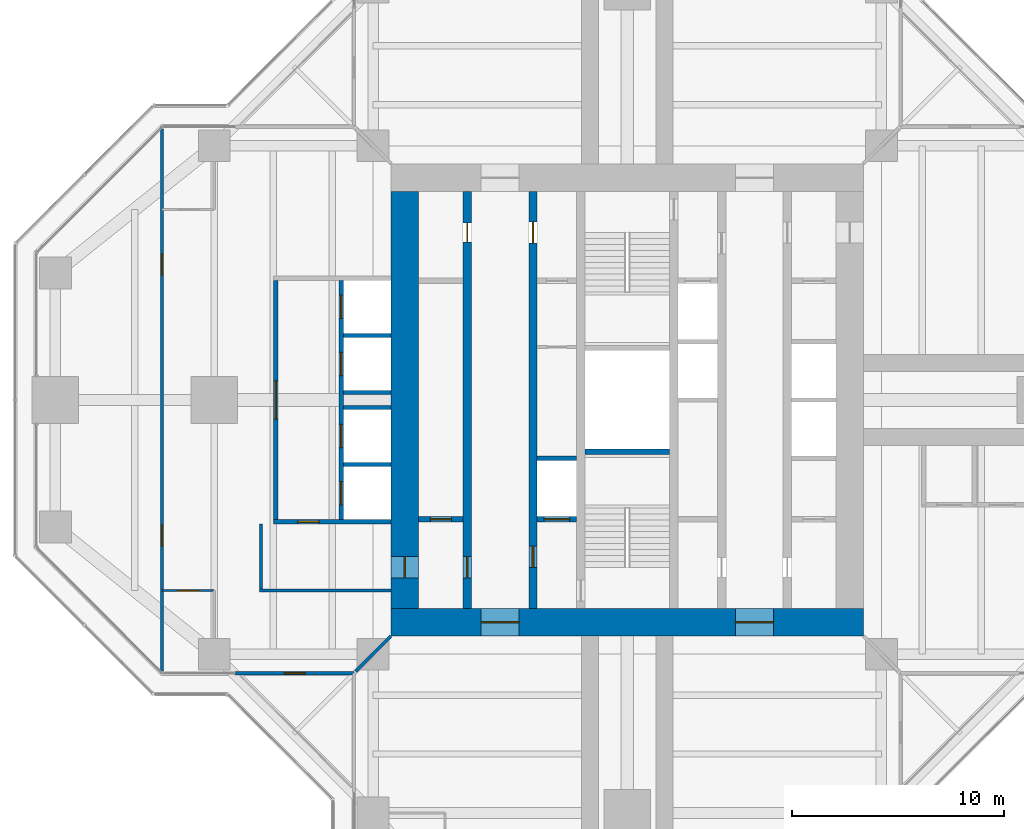
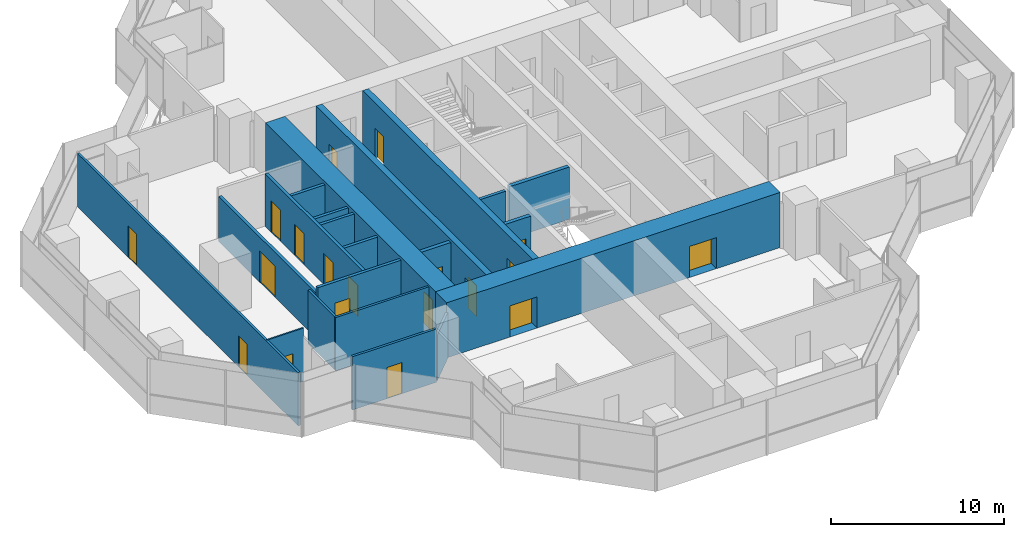
# One storey, part 13 of 17: 21 walls, 19 doors, 19 openings.
"""IFC4 building model written with IfcOpenShell, lengths in metres."""

import ifcopenshell
import ifcopenshell.guid

model = None  # the IFC model being written
_history = None  # IfcOwnerHistory: only IFC2X3 demands one
_inside = {}  # id of a spatial element -> (the spatial element, [elements in it])
_under = {}  # id of a project, library or spatial element -> (it, [spatial elements below it])
_declared = {}  # id of a project -> (the project, [libraries it declares])
_typed = {}  # id of a type object -> (the type object, [elements of that type])
_made_of = {}  # id of a material, layer set ... -> (it, [elements and type objects made of it])


def new_model(schema):
    """Start an empty IFC model of exactly this schema.

    Asked for "IFC4X3", IfcOpenShell would pick the latest addendum, in which some entities
    have other attributes; the version numbers below select the first issue.
    IFC2X3 requires an IfcOwnerHistory on every rooted entity: one is made here for all.
    """
    global model, _history
    if schema == "IFC4X3":
        model = ifcopenshell.file(schema_version=(4, 3, 0, 0))
    else:
        model = ifcopenshell.file(schema=schema)
    _inside.clear()
    _under.clear()
    _declared.clear()
    _typed.clear()
    _made_of.clear()
    _history = None
    if model.schema == "IFC2X3":
        org = make("IfcOrganization", Name="unknown")
        user = make(
            "IfcPersonAndOrganization",
            ThePerson=make("IfcPerson", FamilyName="unknown"),
            TheOrganization=org,
        )
        app = make(
            "IfcApplication",
            ApplicationDeveloper=org,
            Version="unknown",
            ApplicationFullName="unknown",
            ApplicationIdentifier="unknown",
        )
        _history = make(
            "IfcOwnerHistory",
            OwningUser=user,
            OwningApplication=app,
            ChangeAction="ADDED",
            CreationDate=0,
        )
    return model


def make(cls, **values):
    """One entity of the class cls with the attributes given. An attribute that is None is left unset."""
    return model.create_entity(
        cls, **{name: value for name, value in values.items() if value is not None}
    )


def rooted(cls, **values):
    """An entity with a GlobalId (a new one), such as an element, a storey or a relation."""
    return make(cls, GlobalId=ifcopenshell.guid.new(), OwnerHistory=_history, **values)


def si_unit(unit_type, name, prefix=None):
    """IfcSIUnit, for example si_unit("LENGTHUNIT", "METRE", prefix="MILLI")."""
    return make("IfcSIUnit", UnitType=unit_type, Prefix=prefix, Name=name)


def assignment(units):
    """IfcUnitAssignment: the units of a project."""
    return None if units is None else make("IfcUnitAssignment", Units=units)


def point(xyz):
    """IfcCartesianPoint."""
    return None if xyz is None else make("IfcCartesianPoint", Coordinates=xyz)


def direction(xyz):
    """IfcDirection."""
    return None if xyz is None else make("IfcDirection", DirectionRatios=xyz)


def frame(location, z_axis=None, x_axis=None):
    """IfcAxis2Placement3D, a coordinate frame: its origin and axes. An axis left out is left unset."""
    return make(
        "IfcAxis2Placement3D",
        Location=point(location),
        Axis=direction(z_axis),
        RefDirection=direction(x_axis),
    )


def frame_2d(location, x_axis=None):
    """IfcAxis2Placement2D, a coordinate frame in the plane: its origin and x axis."""
    return make(
        "IfcAxis2Placement2D", Location=point(location), RefDirection=direction(x_axis)
    )


def origin():
    """The frame at (0, 0, 0) with its axes left unset."""
    return frame((0.0, 0.0, 0.0))


def place(relative_to, where):
    """IfcLocalPlacement: puts the frame where relative to a parent placement (None: the world)."""
    return make(
        "IfcLocalPlacement", PlacementRelTo=relative_to, RelativePlacement=where
    )


def context(
    kind, dimensions, precision=None, world=None, true_north=None, identifier=None
):
    """IfcGeometricRepresentationContext, for example the 3D "Model" context."""
    return make(
        "IfcGeometricRepresentationContext",
        ContextIdentifier=identifier,
        ContextType=kind,
        CoordinateSpaceDimension=dimensions,
        Precision=precision,
        WorldCoordinateSystem=world,
        TrueNorth=true_north,
    )


def subcontext(parent, identifier, kind, view, scale=None):
    """IfcGeometricRepresentationSubContext, for example "Body" below "Model"."""
    return make(
        "IfcGeometricRepresentationSubContext",
        ContextIdentifier=identifier,
        ContextType=kind,
        ParentContext=parent,
        TargetScale=scale,
        TargetView=view,
    )


def project(units=None, contexts=None):
    """IfcProject with its units and contexts."""
    return rooted(
        "IfcProject",
        Name="project",
        RepresentationContexts=contexts,
        UnitsInContext=assignment(units),
    )


def spatial(cls, under=None, at=None, **own):
    """A site, building, storey or space (cls), placed at a placement, below another one or the project."""
    s = rooted(cls, ObjectPlacement=at, **own)
    if under is not None:
        _under.setdefault(under.id(), (under, []))[1].append(s)
    return s


def profile(cls, at=None, kind="AREA", **sizes):
    """A parametric profile (cls). Its sizes go by their IFC names, for example OverallWidth=200.0."""
    return make(cls, ProfileType=kind, Position=at, **sizes)


def rectangle(**sizes):
    """IfcRectangleProfileDef."""
    return profile("IfcRectangleProfileDef", **sizes)


def extrude(swept, where, along, depth):
    """IfcExtrudedAreaSolid: the profile swept, set in the frame where, extruded along a direction by depth."""
    return make(
        "IfcExtrudedAreaSolid",
        SweptArea=swept,
        Position=where,
        ExtrudedDirection=direction(along),
        Depth=depth,
    )


def shape(context_of_items, identifier, shape_type, items):
    """IfcShapeRepresentation: the items that make up one representation, for example the "Body"."""
    return make(
        "IfcShapeRepresentation",
        ContextOfItems=context_of_items,
        RepresentationIdentifier=identifier,
        RepresentationType=shape_type,
        Items=items,
    )


def material(Name=None, Category=None):
    """IfcMaterial."""
    return make("IfcMaterial", Name=Name, Category=Category)


def layer(
    of_material, thickness, ventilated=None, Name=None, Category=None, Priority=None
):
    """IfcMaterialLayer: one layer of a wall or slab, of a material (None: an air gap)."""
    return make(
        "IfcMaterialLayer",
        Material=of_material,
        LayerThickness=thickness,
        IsVentilated=ventilated,
        Name=Name,
        Category=Category,
        Priority=Priority,
    )


def layer_set(layers, Name=None):
    """IfcMaterialLayerSet."""
    return make("IfcMaterialLayerSet", MaterialLayers=layers, LayerSetName=Name)


def made_of(thing, what):
    """Note that an element or type object is made of a material, layer set ...; save() writes the relation."""
    if what is not None:
        _made_of.setdefault(what.id(), (what, []))[1].append(thing)
    return thing


def type_object(cls, material=None, **own):
    """A type object (cls), such as IfcWallType, which elements share."""
    return made_of(rooted(cls, **own), material)


def element(
    cls,
    number,
    at=None,
    inside=None,
    cuts=None,
    type_object=None,
    material=None,
    context=None,
    identifier="Body",
    shape_type=None,
    held_by="IfcProductDefinitionShape",
    body=None,
    shapes=None,
    **own,
):
    """One element of the class cls, such as IfcWall. Its Tag is "e" and its number.

    at: its placement. inside: the storey or other place that contains it. cuts: it is an
    opening in that element (IfcRelVoidsElement). A single representation is given by context,
    identifier, shape_type and body (its items); several are given by shapes. held_by: the class
    of the entity that holds the representations. save() writes the other relations.
    """
    e = rooted(cls, Tag="e%d" % number, ObjectPlacement=at, **own)
    if body is not None:
        shapes = [shape(context, identifier, shape_type, body)]
    if shapes is not None:
        e.Representation = make(held_by, Representations=shapes)
    if inside is not None:
        _inside.setdefault(inside.id(), (inside, []))[1].append(e)
    if cuts is not None:
        rooted(
            "IfcRelVoidsElement", RelatingBuildingElement=cuts, RelatedOpeningElement=e
        )
    if type_object is not None:
        _typed.setdefault(type_object.id(), (type_object, []))[1].append(e)
    return made_of(e, material)


def fill(opening, filler):
    """IfcRelFillsElement: the door or window that sits in an opening."""
    return rooted(
        "IfcRelFillsElement",
        RelatingOpeningElement=opening,
        RelatedBuildingElement=filler,
    )


def aggregate(whole, parts):
    """IfcRelAggregates: a whole, such as a stair, and the parts it consists of."""
    return rooted("IfcRelAggregates", RelatingObject=whole, RelatedObjects=parts)


def save(model, path):
    """Write the relations noted so far, then the file.

    IfcRelAggregates (storeys below a building ...), IfcRelContainedInSpatialStructure (elements
    in a storey), IfcRelDefinesByType, IfcRelAssociatesMaterial and IfcRelDeclares: one each for
    every whole, place, type object, material and project.
    """
    for whole, parts in _under.values():
        aggregate(whole, parts)
    for where, things in _inside.values():
        rooted(
            "IfcRelContainedInSpatialStructure",
            RelatedElements=things,
            RelatingStructure=where,
        )
    for kind, things in _typed.values():
        rooted("IfcRelDefinesByType", RelatedObjects=things, RelatingType=kind)
    for what, things in _made_of.values():
        rooted("IfcRelAssociatesMaterial", RelatedObjects=things, RelatingMaterial=what)
    for by, libraries in _declared.values():
        rooted("IfcRelDeclares", RelatingContext=by, RelatedDefinitions=libraries)
    model.write(path)


model = new_model("IFC4")

# Units and contexts
model_context = context("Model", 3, precision=1e-05, world=origin(), true_north=direction((0.0, 1.0)))
body_context = subcontext(model_context, "Body", "Model", "MODEL_VIEW")
ifc_project = project(units=[si_unit("LENGTHUNIT", "METRE"), si_unit("AREAUNIT", "SQUARE_METRE"), si_unit("VOLUMEUNIT", "CUBIC_METRE"), si_unit("PLANEANGLEUNIT", "RADIAN"), si_unit("MASSUNIT", "GRAM", prefix="KILO")], contexts=[model_context])

# Site, building, storey
site_placement = place(None, origin())
site = spatial("IfcSite", under=ifc_project, at=site_placement, CompositionType="ELEMENT")
building_placement = place(site_placement, origin())
building = spatial("IfcBuilding", under=site, at=building_placement, Name="Mizan Broadcast Tower", CompositionType="ELEMENT")
storey_placement = place(building_placement, frame((0.0, 0.0, 247.800048828125)))
storey = spatial("IfcBuildingStorey", under=building, at=storey_placement, Name="L58", CompositionType="ELEMENT", Elevation=247.800048828125)

# Wall, openings, doors
ifc_material_1 = material(Name="Concrete C70/85", Category="concrete")
ifc_layer_1 = layer(ifc_material_1, 0.39990234375)
ifc_layer_set_1 = layer_set([ifc_layer_1], Name="Concrete C70/85")
wall_type_1 = type_object("IfcWallType", Name="CORE INTERNAL WALL 400", PredefinedType="SHEAR", material=ifc_layer_set_1)
wall_1_placement = place(storey_placement, frame((-7.550048828125, -9.85009765625, 0.0), z_axis=(0.0, 0.0, 1.0), x_axis=(0.0, 1.0, 0.0)))
wall_1 = element("IfcWall", 1, at=wall_1_placement, inside=storey, type_object=wall_type_1, Name="Core wall CORE/XW1", PredefinedType="SHEAR", context=body_context, shape_type="SweptSolid", body=[
    extrude(rectangle(XDim=19.7001953125, YDim=0.39990234375, at=frame_2d((9.85009765625, 0.0))), origin(), (0.0, 0.0, 1.0), 3.89990234375),
])
opening_1_placement = place(wall_1_placement, frame((1.449951171875, 0.0, 0.0)))
opening_1 = element("IfcOpeningElement", 2, at=opening_1_placement, cuts=wall_1, Name="Opening D10F", PredefinedType="OPENING", context=body_context, shape_type="SweptSolid", body=[
    extrude(rectangle(XDim=1.0, YDim=2.199951171875, at=frame_2d((0.5, 1.10009765625))), frame((0.0, 0.2099609375, 0.0), z_axis=(0.0, -1.0, 0.0), x_axis=(1.0, 0.0, 0.0)), (0.0, 0.0, 1.0), 0.419921875),
])
opening_2_placement = place(wall_1_placement, frame((17.300048828125, 0.0, 0.0)))
opening_2 = element("IfcOpeningElement", 3, at=opening_2_placement, cuts=wall_1, Name="Opening D09", PredefinedType="OPENING", context=body_context, shape_type="SweptSolid", body=[
    extrude(rectangle(XDim=0.89990234375, YDim=2.10009765625, at=frame_2d((0.449951171875, 1.050048828125))), frame((0.0, 0.2099609375, 0.0), z_axis=(0.0, -1.0, 0.0), x_axis=(1.0, 0.0, 0.0)), (0.0, 0.0, 1.0), 0.419921875),
])
ifc_material_2 = material(Name="Steel door leaf in steel frame", Category="steel")
door_type_1 = type_object("IfcDoorType", Name="FIRE DOOR 1000 FD90", OperationType="SINGLE_SWING_LEFT", PredefinedType="DOOR", material=ifc_material_2)
door_1_placement = place(opening_1_placement, origin())
door_1 = element("IfcDoor", 4, at=door_1_placement, inside=storey, type_object=door_type_1, Name="West core passage door", OperationType="SINGLE_SWING_LEFT", OverallHeight=2.199951171875, OverallWidth=1.0, PredefinedType="DOOR", context=body_context, shape_type="SweptSolid", body=[
    extrude(rectangle(XDim=1.0, YDim=2.199951171875, at=frame_2d((0.5, 1.10009765625))), frame((0.0, 0.02490234375, 0.0), z_axis=(0.0, -1.0, 0.0), x_axis=(1.0, 0.0, 0.0)), (0.0, 0.0, 1.0), 0.050048828125),
])
fill(opening_1, door_1)
ifc_material_3 = material(Name="Timber door leaf in aluminium frame", Category="wood")
door_type_2 = type_object("IfcDoorType", Name="TOILET DOOR 900", OperationType="SINGLE_SWING_LEFT", PredefinedType="DOOR", material=ifc_material_3)
door_2_placement = place(opening_2_placement, origin())
door_2 = element("IfcDoor", 5, at=door_2_placement, inside=storey, type_object=door_type_2, Name="Male WC door", OperationType="SINGLE_SWING_RIGHT", OverallHeight=2.10009765625, OverallWidth=0.89990234375, PredefinedType="DOOR", context=body_context, shape_type="SweptSolid", body=[
    extrude(rectangle(XDim=0.89990234375, YDim=2.10009765625, at=frame_2d((0.449951171875, 1.050048828125))), frame((0.0, 0.02490234375, 0.0), z_axis=(0.0, -1.0, 0.0), x_axis=(1.0, 0.0, 0.0)), (0.0, 0.0, 1.0), 0.050048828125),
])
fill(opening_2, door_2)

wall_2_placement = place(storey_placement, frame((-4.449951171875, -9.85009765625, 0.0), z_axis=(0.0, 0.0, 1.0), x_axis=(0.0, 1.0, 0.0)))
wall_2 = element("IfcWall", 6, at=wall_2_placement, inside=storey, type_object=wall_type_1, Name="Core wall CORE/XWH", PredefinedType="SHEAR", context=body_context, shape_type="SweptSolid", body=[
    extrude(rectangle(XDim=19.7001953125, YDim=0.39990234375, at=frame_2d((9.85009765625, 0.0))), origin(), (0.0, 0.0, 1.0), 3.89990234375),
])
opening_3_placement = place(wall_2_placement, frame((1.949951171875, 0.0, 0.0)))
opening_3 = element("IfcOpeningElement", 7, at=opening_3_placement, cuts=wall_2, Name="Opening D10F", PredefinedType="OPENING", context=body_context, shape_type="SweptSolid", body=[
    extrude(rectangle(XDim=1.0, YDim=2.199951171875, at=frame_2d((0.5, 1.10009765625))), frame((0.0, 0.2099609375, 0.0), z_axis=(0.0, -1.0, 0.0), x_axis=(1.0, 0.0, 0.0)), (0.0, 0.0, 1.0), 0.419921875),
])
opening_4_placement = place(wall_2_placement, frame((17.25, 0.0, 0.0)))
opening_4 = element("IfcOpeningElement", 8, at=opening_4_placement, cuts=wall_2, Name="Opening D10A", PredefinedType="OPENING", context=body_context, shape_type="SweptSolid", body=[
    extrude(rectangle(XDim=1.0, YDim=2.10009765625, at=frame_2d((0.5, 1.050048828125))), frame((0.0, 0.2099609375, 0.0), z_axis=(0.0, -1.0, 0.0), x_axis=(1.0, 0.0, 0.0)), (0.0, 0.0, 1.0), 0.419921875),
])
ifc_material_4 = material(Name="Timber door leaf in aluminium frame", Category="wood")
door_type_3 = type_object("IfcDoorType", Name="ACCESSIBLE WC DOOR 1000", OperationType="SLIDING_TO_LEFT", PredefinedType="DOOR", material=ifc_material_4)
door_3_placement = place(opening_4_placement, origin())
door_3 = element("IfcDoor", 9, at=door_3_placement, inside=storey, type_object=door_type_3, Name="Accessible WC door", OperationType="SLIDING_TO_LEFT", OverallHeight=2.10009765625, OverallWidth=1.0, PredefinedType="DOOR", context=body_context, shape_type="SweptSolid", body=[
    extrude(rectangle(XDim=1.0, YDim=2.10009765625, at=frame_2d((0.5, 1.050048828125))), frame((0.0, 0.02490234375, 0.0), z_axis=(0.0, -1.0, 0.0), x_axis=(1.0, 0.0, 0.0)), (0.0, 0.0, 1.0), 0.050048828125),
])
fill(opening_4, door_3)
door_4_placement = place(opening_3_placement, origin())
door_4 = element("IfcDoor", 10, at=door_4_placement, inside=storey, type_object=door_type_1, Name="Firefighting lobby A door", OperationType="SINGLE_SWING_LEFT", OverallHeight=2.199951171875, OverallWidth=1.0, PredefinedType="DOOR", context=body_context, shape_type="SweptSolid", body=[
    extrude(rectangle(XDim=1.0, YDim=2.199951171875, at=frame_2d((0.5, 1.10009765625))), frame((0.0, 0.02490234375, 0.0), z_axis=(0.0, -1.0, 0.0), x_axis=(1.0, 0.0, 0.0)), (0.0, 0.0, 1.0), 0.050048828125),
])
fill(opening_3, door_4)

ifc_material_5 = material(Name="Concrete C70/85", Category="concrete")
ifc_layer_2 = layer(ifc_material_5, 1.300048828125)
ifc_layer_set_2 = layer_set([ifc_layer_2], Name="Concrete C70/85")
wall_type_2 = type_object("IfcWallType", Name="CORE WALL 1300", PredefinedType="SHEAR", material=ifc_layer_set_2)
wall_3_placement = place(storey_placement, frame((11.14990234375, -10.5, 0.0), z_axis=(0.0, 0.0, 1.0), x_axis=(-1.0, 0.0, 0.0)))
wall_3 = element("IfcWall", 11, at=wall_3_placement, inside=storey, type_object=wall_type_2, Name="Core wall S L58", PredefinedType="SHEAR", context=body_context, shape_type="SweptSolid", body=[
    extrude(rectangle(XDim=22.2998046875, YDim=1.300048828125, at=frame_2d((11.14990234375, 0.0))), origin(), (0.0, 0.0, 1.0), 3.89990234375),
])
opening_5_placement = place(wall_3_placement, frame((16.25, 0.0, 0.0)))
opening_5 = element("IfcOpeningElement", 12, at=opening_5_placement, cuts=wall_3, Name="Opening D18F", PredefinedType="OPENING", context=body_context, shape_type="SweptSolid", body=[
    extrude(rectangle(XDim=1.800048828125, YDim=2.199951171875, at=frame_2d((0.89990234375, 1.10009765625))), frame((0.0, 0.659912109375, 0.0), z_axis=(0.0, -1.0, 0.0), x_axis=(1.0, 0.0, 0.0)), (0.0, 0.0, 1.0), 1.320068359375),
])
opening_6_placement = place(wall_3_placement, frame((4.25, 0.0, 0.0)))
opening_6 = element("IfcOpeningElement", 13, at=opening_6_placement, cuts=wall_3, Name="Opening D18F", PredefinedType="OPENING", context=body_context, shape_type="SweptSolid", body=[
    extrude(rectangle(XDim=1.800048828125, YDim=2.199951171875, at=frame_2d((0.89990234375, 1.10009765625))), frame((0.0, 0.659912109375, 0.0), z_axis=(0.0, -1.0, 0.0), x_axis=(1.0, 0.0, 0.0)), (0.0, 0.0, 1.0), 1.320068359375),
])
ifc_material_6 = material(Name="Steel door leaf in steel frame", Category="steel")
door_type_4 = type_object("IfcDoorType", Name="LOBBY DOUBLE DOOR 1800 FD90", OperationType="DOUBLE_DOOR_DOUBLE_SWING", PredefinedType="DOOR", material=ifc_material_6)
door_5_placement = place(opening_5_placement, origin())
door_5 = element("IfcDoor", 14, at=door_5_placement, inside=storey, type_object=door_type_4, Name="West lift lobby south door", OperationType="DOUBLE_DOOR_DOUBLE_SWING", OverallHeight=2.199951171875, OverallWidth=1.800048828125, PredefinedType="DOOR", context=body_context, shape_type="SweptSolid", body=[
    extrude(rectangle(XDim=1.800048828125, YDim=2.199951171875, at=frame_2d((0.89990234375, 1.10009765625))), frame((0.0, 0.02490234375, 0.0), z_axis=(0.0, -1.0, 0.0), x_axis=(1.0, 0.0, 0.0)), (0.0, 0.0, 1.0), 0.050048828125),
])
fill(opening_5, door_5)
door_6_placement = place(opening_6_placement, origin())
door_6 = element("IfcDoor", 15, at=door_6_placement, inside=storey, type_object=door_type_4, Name="East lift lobby south door", OperationType="DOUBLE_DOOR_DOUBLE_SWING", OverallHeight=2.199951171875, OverallWidth=1.800048828125, PredefinedType="DOOR", context=body_context, shape_type="SweptSolid", body=[
    extrude(rectangle(XDim=1.800048828125, YDim=2.199951171875, at=frame_2d((0.89990234375, 1.10009765625))), frame((0.0, 0.02490234375, 0.0), z_axis=(0.0, -1.0, 0.0), x_axis=(1.0, 0.0, 0.0)), (0.0, 0.0, 1.0), 0.050048828125),
])
fill(opening_6, door_6)

# Wall, opening, door
wall_4_placement = place(storey_placement, frame((-10.5, 9.85009765625, 0.0), z_axis=(0.0, 0.0, 1.0), x_axis=(0.0, -1.0, 0.0)))
wall_4 = element("IfcWall", 16, at=wall_4_placement, inside=storey, type_object=wall_type_2, Name="Core wall W L58", PredefinedType="SHEAR", context=body_context, shape_type="SweptSolid", body=[
    extrude(rectangle(XDim=19.7001953125, YDim=1.300048828125, at=frame_2d((9.85009765625, 0.0))), origin(), (0.0, 0.0, 1.0), 3.89990234375),
])
opening_7_placement = place(wall_4_placement, frame((17.25, 0.0, 0.0)))
opening_7 = element("IfcOpeningElement", 17, at=opening_7_placement, cuts=wall_4, Name="Opening D10F", PredefinedType="OPENING", context=body_context, shape_type="SweptSolid", body=[
    extrude(rectangle(XDim=1.0, YDim=2.199951171875, at=frame_2d((0.5, 1.10009765625))), frame((0.0, 0.659912109375, 0.0), z_axis=(0.0, -1.0, 0.0), x_axis=(1.0, 0.0, 0.0)), (0.0, 0.0, 1.0), 1.320068359375),
])
door_7_placement = place(opening_7_placement, origin())
door_7 = element("IfcDoor", 18, at=door_7_placement, inside=storey, type_object=door_type_1, Name="West core passage arm door", OperationType="SINGLE_SWING_RIGHT", OverallHeight=2.199951171875, OverallWidth=1.0, PredefinedType="DOOR", context=body_context, shape_type="SweptSolid", body=[
    extrude(rectangle(XDim=1.0, YDim=2.199951171875, at=frame_2d((0.5, 1.10009765625))), frame((0.0, 0.02490234375, 0.0), z_axis=(0.0, -1.0, 0.0), x_axis=(1.0, 0.0, 0.0)), (0.0, 0.0, 1.0), 0.050048828125),
])
fill(opening_7, door_7)

ifc_material_7 = material(Name="Aluminium framed glazed screen", Category="aluminium")
ifc_layer_3 = layer(ifc_material_7, 0.159912109375)
ifc_layer_set_3 = layer_set([ifc_layer_3], Name="Aluminium framed glazed screen")
wall_type_3 = type_object("IfcWallType", Name="GLAZED SCREEN WALL 160", PredefinedType="SOLIDWALL", material=ifc_layer_set_3)
wall_5_placement = place(storey_placement, frame((-18.5, -12.89990234375, 0.0), z_axis=(0.0, 0.0, 1.0), x_axis=(1.0, 0.0, 0.0)))
wall_5 = element("IfcWall", 19, at=wall_5_placement, inside=storey, type_object=wall_type_3, Name="Winter garden screen L58 W", PredefinedType="SOLIDWALL", context=body_context, shape_type="SweptSolid", body=[
    extrude(rectangle(XDim=5.60009765625, YDim=0.159912109375, at=frame_2d((2.800048828125, 0.0))), origin(), (0.0, 0.0, 1.0), 3.77001953125),
])
opening_8_placement = place(wall_5_placement, frame((2.300048828125, 0.0, 0.0)))
opening_8 = element("IfcOpeningElement", 20, at=opening_8_placement, cuts=wall_5, Name="Opening WGD", PredefinedType="OPENING", context=body_context, shape_type="SweptSolid", body=[
    extrude(rectangle(XDim=1.0, YDim=2.199951171875, at=frame_2d((0.5, 1.10009765625))), frame((0.0, 0.08984375, 0.0), z_axis=(0.0, -1.0, 0.0), x_axis=(1.0, 0.0, 0.0)), (0.0, 0.0, 1.0), 0.179931640625),
])
ifc_material_8 = material(Name="Aluminium framed glazed door", Category="aluminium")
door_type_5 = type_object("IfcDoorType", Name="WINTER GARDEN DOOR 1000 GLAZED", OperationType="SINGLE_SWING_LEFT", PredefinedType="DOOR", material=ifc_material_8)
door_8_placement = place(opening_8_placement, origin())
door_8 = element("IfcDoor", 21, at=door_8_placement, inside=storey, type_object=door_type_5, Name="Winter garden door L58 W", OperationType="SINGLE_SWING_RIGHT", OverallHeight=2.199951171875, OverallWidth=1.0, PredefinedType="DOOR", context=body_context, shape_type="SweptSolid", body=[
    extrude(rectangle(XDim=1.0, YDim=2.199951171875, at=frame_2d((0.5, 1.10009765625))), frame((0.0, 0.02490234375, 0.0), z_axis=(0.0, -1.0, 0.0), x_axis=(1.0, 0.0, 0.0)), (0.0, 0.0, 1.0), 0.050048828125),
])
fill(opening_8, door_8)

# Wall
ifc_material_9 = material(Name="Concrete blockwork", Category="masonry")
ifc_layer_4 = layer(ifc_material_9, 0.199951171875)
ifc_layer_set_4 = layer_set([ifc_layer_4], Name="Concrete blockwork")
wall_type_4 = type_object("IfcWallType", Name="LIFT SHAFT WALL 200", PredefinedType="SOLIDWALL", material=ifc_layer_set_4)
wall_6_placement = place(storey_placement, frame((-4.25, -2.75, 0.0), z_axis=(0.0, 0.0, 1.0), x_axis=(1.0, 0.0, 0.0)))
element("IfcWall", 22, at=wall_6_placement, inside=storey, type_object=wall_type_4, Name="Lift shaft wall CORE/SW2-1", PredefinedType="SOLIDWALL", context=body_context, shape_type="SweptSolid", body=[
    extrude(rectangle(XDim=1.85009765625, YDim=0.199951171875, at=frame_2d((0.925048828125, 0.0))), origin(), (0.0, 0.0, 1.0), 3.699951171875),
])

# Wall, openings, doors
wall_7_placement = place(storey_placement, frame((-13.5, 5.64990234375, 0.0), z_axis=(0.0, 0.0, 1.0), x_axis=(0.0, -1.0, 0.0)))
wall_7 = element("IfcWall", 23, at=wall_7_placement, inside=storey, type_object=wall_type_4, Name="Lift shaft wall LC/F", PredefinedType="SOLIDWALL", context=body_context, shape_type="SweptSolid", body=[
    extrude(rectangle(XDim=11.2998046875, YDim=0.199951171875, at=frame_2d((5.64990234375, 0.0))), origin(), (0.0, 0.0, 1.0), 3.699951171875),
])
opening_9_placement = place(wall_7_placement, frame((0.699951171875, 0.0, 0.0)))
opening_9 = element("IfcOpeningElement", 24, at=opening_9_placement, cuts=wall_7, Name="Opening LD", PredefinedType="OPENING", context=body_context, shape_type="SweptSolid", body=[
    extrude(rectangle(XDim=1.10009765625, YDim=2.199951171875, at=frame_2d((0.550048828125, 1.10009765625))), frame((0.0, 0.10986328125, 0.0), z_axis=(0.0, -1.0, 0.0), x_axis=(1.0, 0.0, 0.0)), (0.0, 0.0, 1.0), 0.219970703125),
])
opening_10_placement = place(wall_7_placement, frame((3.39990234375, 0.0, 0.0)))
opening_10 = element("IfcOpeningElement", 25, at=opening_10_placement, cuts=wall_7, Name="Opening LD", PredefinedType="OPENING", context=body_context, shape_type="SweptSolid", body=[
    extrude(rectangle(XDim=1.10009765625, YDim=2.199951171875, at=frame_2d((0.550048828125, 1.10009765625))), frame((0.0, 0.10986328125, 0.0), z_axis=(0.0, -1.0, 0.0), x_axis=(1.0, 0.0, 0.0)), (0.0, 0.0, 1.0), 0.219970703125),
])
opening_11_placement = place(wall_7_placement, frame((6.800048828125, 0.0, 0.0)))
opening_11 = element("IfcOpeningElement", 26, at=opening_11_placement, cuts=wall_7, Name="Opening LD", PredefinedType="OPENING", context=body_context, shape_type="SweptSolid", body=[
    extrude(rectangle(XDim=1.10009765625, YDim=2.199951171875, at=frame_2d((0.550048828125, 1.10009765625))), frame((0.0, 0.10986328125, 0.0), z_axis=(0.0, -1.0, 0.0), x_axis=(1.0, 0.0, 0.0)), (0.0, 0.0, 1.0), 0.219970703125),
])
opening_12_placement = place(wall_7_placement, frame((9.5, 0.0, 0.0)))
opening_12 = element("IfcOpeningElement", 27, at=opening_12_placement, cuts=wall_7, Name="Opening LD", PredefinedType="OPENING", context=body_context, shape_type="SweptSolid", body=[
    extrude(rectangle(XDim=1.10009765625, YDim=2.199951171875, at=frame_2d((0.550048828125, 1.10009765625))), frame((0.0, 0.10986328125, 0.0), z_axis=(0.0, -1.0, 0.0), x_axis=(1.0, 0.0, 0.0)), (0.0, 0.0, 1.0), 0.219970703125),
])
ifc_material_10 = material(Name="Steel door leaf in steel frame", Category="steel")
door_type_6 = type_object("IfcDoorType", Name="LIFT LANDING DOOR 1100", OperationType="SLIDING_TO_LEFT", PredefinedType="DOOR", material=ifc_material_10)
door_9_placement = place(opening_9_placement, origin())
door_9 = element("IfcDoor", 28, at=door_9_placement, inside=storey, type_object=door_type_6, Name="Landing door LC1", OperationType="SLIDING_TO_LEFT", OverallHeight=2.199951171875, OverallWidth=1.10009765625, PredefinedType="DOOR", context=body_context, shape_type="SweptSolid", body=[
    extrude(rectangle(XDim=1.10009765625, YDim=2.199951171875, at=frame_2d((0.550048828125, 1.10009765625))), frame((0.0, 0.02490234375, 0.0), z_axis=(0.0, -1.0, 0.0), x_axis=(1.0, 0.0, 0.0)), (0.0, 0.0, 1.0), 0.050048828125),
])
fill(opening_9, door_9)
door_10_placement = place(opening_10_placement, origin())
door_10 = element("IfcDoor", 29, at=door_10_placement, inside=storey, type_object=door_type_6, Name="Landing door LC2", OperationType="SLIDING_TO_LEFT", OverallHeight=2.199951171875, OverallWidth=1.10009765625, PredefinedType="DOOR", context=body_context, shape_type="SweptSolid", body=[
    extrude(rectangle(XDim=1.10009765625, YDim=2.199951171875, at=frame_2d((0.550048828125, 1.10009765625))), frame((0.0, 0.02490234375, 0.0), z_axis=(0.0, -1.0, 0.0), x_axis=(1.0, 0.0, 0.0)), (0.0, 0.0, 1.0), 0.050048828125),
])
fill(opening_10, door_10)
door_11_placement = place(opening_11_placement, origin())
door_11 = element("IfcDoor", 30, at=door_11_placement, inside=storey, type_object=door_type_6, Name="Landing door LC3", OperationType="SLIDING_TO_LEFT", OverallHeight=2.199951171875, OverallWidth=1.10009765625, PredefinedType="DOOR", context=body_context, shape_type="SweptSolid", body=[
    extrude(rectangle(XDim=1.10009765625, YDim=2.199951171875, at=frame_2d((0.550048828125, 1.10009765625))), frame((0.0, 0.02490234375, 0.0), z_axis=(0.0, -1.0, 0.0), x_axis=(1.0, 0.0, 0.0)), (0.0, 0.0, 1.0), 0.050048828125),
])
fill(opening_11, door_11)
door_12_placement = place(opening_12_placement, origin())
door_12 = element("IfcDoor", 31, at=door_12_placement, inside=storey, type_object=door_type_6, Name="Landing door LC4", OperationType="SLIDING_TO_LEFT", OverallHeight=2.199951171875, OverallWidth=1.10009765625, PredefinedType="DOOR", context=body_context, shape_type="SweptSolid", body=[
    extrude(rectangle(XDim=1.10009765625, YDim=2.199951171875, at=frame_2d((0.550048828125, 1.10009765625))), frame((0.0, 0.02490234375, 0.0), z_axis=(0.0, -1.0, 0.0), x_axis=(1.0, 0.0, 0.0)), (0.0, 0.0, 1.0), 0.050048828125),
])
fill(opening_12, door_12)

# Wall, opening, door
wall_8_placement = place(storey_placement, frame((-11.14990234375, -5.75, 0.0), z_axis=(0.0, 0.0, 1.0), x_axis=(-1.0, 0.0, 0.0)))
wall_8 = element("IfcWall", 32, at=wall_8_placement, inside=storey, type_object=wall_type_4, Name="Lift shaft wall LC/S2", PredefinedType="SOLIDWALL", context=body_context, shape_type="SweptSolid", body=[
    extrude(rectangle(XDim=5.550048828125, YDim=0.199951171875, at=frame_2d((2.77490234375, 0.0))), origin(), (0.0, 0.0, 1.0), 3.699951171875),
])
opening_13_placement = place(wall_8_placement, frame((3.39990234375, 0.0, 0.0)))
opening_13 = element("IfcOpeningElement", 33, at=opening_13_placement, cuts=wall_8, Name="Opening D10F", PredefinedType="OPENING", context=body_context, shape_type="SweptSolid", body=[
    extrude(rectangle(XDim=1.0, YDim=2.199951171875, at=frame_2d((0.5, 1.10009765625))), frame((0.0, 0.10986328125, 0.0), z_axis=(0.0, -1.0, 0.0), x_axis=(1.0, 0.0, 0.0)), (0.0, 0.0, 1.0), 0.219970703125),
])
door_13_placement = place(opening_13_placement, origin())
door_13 = element("IfcDoor", 34, at=door_13_placement, inside=storey, type_object=door_type_1, Name="High-rise lobby corridor door", OperationType="SINGLE_SWING_RIGHT", OverallHeight=2.199951171875, OverallWidth=1.0, PredefinedType="DOOR", context=body_context, shape_type="SweptSolid", body=[
    extrude(rectangle(XDim=1.0, YDim=2.199951171875, at=frame_2d((0.5, 1.10009765625))), frame((0.0, 0.02490234375, 0.0), z_axis=(0.0, -1.0, 0.0), x_axis=(1.0, 0.0, 0.0)), (0.0, 0.0, 1.0), 0.050048828125),
])
fill(opening_13, door_13)

# Walls
for number, where, z_axis, x_axis, name in (
    (35, (-11.14990234375, 3.050048828125, 0.0), (0.0, 0.0, 1.0), (-1.0, 0.0, 0.0), "Lift shaft wall LC/SP1"),
    (36, (-11.14990234375, 0.35009765625, 0.0), (0.0, 0.0, 1.0), (-1.0, 0.0, 0.0), "Lift shaft wall LC/SP2"),
    (37, (-11.14990234375, -0.35009765625, 0.0), (0.0, 0.0, 1.0), (-1.0, 0.0, 0.0), "Lift shaft wall LC/SP3"),
    (38, (-11.14990234375, -3.050048828125, 0.0), (0.0, 0.0, 1.0), (-1.0, 0.0, 0.0), "Lift shaft wall LC/SP4"),
):
    element("IfcWall", number, at=place(storey_placement, frame(where, z_axis=z_axis, x_axis=x_axis)), inside=storey, type_object=wall_type_4, Name=name, PredefinedType="SOLIDWALL", context=body_context, shape_type="SweptSolid", body=[
        extrude(rectangle(XDim=2.25, YDim=0.199951171875, at=frame_2d((1.125, 0.0))), origin(), (0.0, 0.0, 1.0), 3.699951171875),
    ])

# Wall, opening, door
ifc_material_11 = material(Name="Concrete blockwork", Category="masonry")
ifc_layer_5 = layer(ifc_material_11, 0.25)
ifc_layer_set_5 = layer_set([ifc_layer_5], Name="Concrete blockwork")
wall_type_5 = type_object("IfcWallType", Name="LOBBY ENCLOSURE WALL 250", PredefinedType="SOLIDWALL", material=ifc_layer_set_5)
wall_9_placement = place(storey_placement, frame((-9.85009765625, -5.625, 0.0), z_axis=(0.0, 0.0, 1.0), x_axis=(1.0, 0.0, 0.0)))
wall_9 = element("IfcWall", 39, at=wall_9_placement, inside=storey, type_object=wall_type_5, Name="Lobby enclosure wall CORE/BW1S", PredefinedType="SOLIDWALL", context=body_context, shape_type="SweptSolid", body=[
    extrude(rectangle(XDim=2.10009765625, YDim=0.25, at=frame_2d((1.050048828125, 0.0))), origin(), (0.0, 0.0, 1.0), 3.699951171875),
])
opening_14_placement = place(wall_9_placement, frame((0.550048828125, 0.0, 0.0)))
opening_14 = element("IfcOpeningElement", 40, at=opening_14_placement, cuts=wall_9, Name="Opening D10F", PredefinedType="OPENING", context=body_context, shape_type="SweptSolid", body=[
    extrude(rectangle(XDim=1.0, YDim=2.199951171875, at=frame_2d((0.5, 1.10009765625))), frame((0.0, 0.135009765625, 0.0), z_axis=(0.0, -1.0, 0.0), x_axis=(1.0, 0.0, 0.0)), (0.0, 0.0, 1.0), 0.27001953125),
])
door_14_placement = place(opening_14_placement, origin())
door_14 = element("IfcDoor", 41, at=door_14_placement, inside=storey, type_object=door_type_1, Name="Print and post room door", OperationType="SINGLE_SWING_RIGHT", OverallHeight=2.199951171875, OverallWidth=1.0, PredefinedType="DOOR", context=body_context, shape_type="SweptSolid", body=[
    extrude(rectangle(XDim=1.0, YDim=2.199951171875, at=frame_2d((0.5, 1.10009765625))), frame((0.0, 0.02490234375, 0.0), z_axis=(0.0, -1.0, 0.0), x_axis=(1.0, 0.0, 0.0)), (0.0, 0.0, 1.0), 0.050048828125),
])
fill(opening_14, door_14)

wall_10_placement = place(storey_placement, frame((-4.25, -5.625, 0.0), z_axis=(0.0, 0.0, 1.0), x_axis=(1.0, 0.0, 0.0)))
wall_10 = element("IfcWall", 42, at=wall_10_placement, inside=storey, type_object=wall_type_5, Name="Lobby enclosure wall CORE/BW2S", PredefinedType="SOLIDWALL", context=body_context, shape_type="SweptSolid", body=[
    extrude(rectangle(XDim=1.85009765625, YDim=0.25, at=frame_2d((0.925048828125, 0.0))), origin(), (0.0, 0.0, 1.0), 3.699951171875),
])
opening_15_placement = place(wall_10_placement, frame((0.324951171875, 0.0, 0.0)))
opening_15 = element("IfcOpeningElement", 43, at=opening_15_placement, cuts=wall_10, Name="Opening LDF", PredefinedType="OPENING", context=body_context, shape_type="SweptSolid", body=[
    extrude(rectangle(XDim=1.199951171875, YDim=2.199951171875, at=frame_2d((0.60009765625, 1.10009765625))), frame((0.0, 0.135009765625, 0.0), z_axis=(0.0, -1.0, 0.0), x_axis=(1.0, 0.0, 0.0)), (0.0, 0.0, 1.0), 0.27001953125),
])
ifc_material_12 = material(Name="Steel door leaf in steel frame", Category="steel")
door_type_7 = type_object("IfcDoorType", Name="FIREFIGHTING LIFT LANDING DOOR 1200", OperationType="SLIDING_TO_LEFT", PredefinedType="DOOR", material=ifc_material_12)
door_15_placement = place(opening_15_placement, origin())
door_15 = element("IfcDoor", 44, at=door_15_placement, inside=storey, type_object=door_type_7, Name="Landing door FF1", OperationType="SLIDING_TO_LEFT", OverallHeight=2.199951171875, OverallWidth=1.199951171875, PredefinedType="DOOR", context=body_context, shape_type="SweptSolid", body=[
    extrude(rectangle(XDim=1.199951171875, YDim=2.199951171875, at=frame_2d((0.60009765625, 1.10009765625))), frame((0.0, 0.02490234375, 0.0), z_axis=(0.0, -1.0, 0.0), x_axis=(1.0, 0.0, 0.0)), (0.0, 0.0, 1.0), 0.050048828125),
])
fill(opening_15, door_15)

# Wall
wall_11_placement = place(storey_placement, frame((-2.0, -2.449951171875, 0.0), z_axis=(0.0, 0.0, 1.0), x_axis=(1.0, 0.0, 0.0)))
element("IfcWall", 45, at=wall_11_placement, inside=storey, type_object=wall_type_5, Name="Lobby enclosure wall CORE/STA", PredefinedType="SOLIDWALL", context=body_context, shape_type="SweptSolid", body=[
    extrude(rectangle(XDim=4.0, YDim=0.25, at=frame_2d((2.0, 0.0))), origin(), (0.0, 0.0, 1.0), 3.699951171875),
])

# Wall, opening, door
wall_12_placement = place(storey_placement, frame((-16.60009765625, 5.64990234375, 0.0), z_axis=(0.0, 0.0, 1.0), x_axis=(0.0, -1.0, 0.0)))
wall_12 = element("IfcWall", 46, at=wall_12_placement, inside=storey, type_object=wall_type_5, Name="Lobby enclosure wall LC/LF", PredefinedType="SOLIDWALL", context=body_context, shape_type="SweptSolid", body=[
    extrude(rectangle(XDim=11.2998046875, YDim=0.199951171875, at=frame_2d((5.64990234375, 0.0))), origin(), (0.0, 0.0, 1.0), 3.179931640625),
])
opening_16_placement = place(wall_12_placement, frame((4.75, 0.0, 0.0)))
opening_16 = element("IfcOpeningElement", 47, at=opening_16_placement, cuts=wall_12, Name="Opening D18F", PredefinedType="OPENING", context=body_context, shape_type="SweptSolid", body=[
    extrude(rectangle(XDim=1.800048828125, YDim=2.199951171875, at=frame_2d((0.89990234375, 1.10009765625))), frame((0.0, 0.10986328125, 0.0), z_axis=(0.0, -1.0, 0.0), x_axis=(1.0, 0.0, 0.0)), (0.0, 0.0, 1.0), 0.219970703125),
])
door_16_placement = place(opening_16_placement, origin())
door_16 = element("IfcDoor", 48, at=door_16_placement, inside=storey, type_object=door_type_4, Name="High-rise lift lobby door", OperationType="DOUBLE_DOOR_DOUBLE_SWING", OverallHeight=2.199951171875, OverallWidth=1.800048828125, PredefinedType="DOOR", context=body_context, shape_type="SweptSolid", body=[
    extrude(rectangle(XDim=1.800048828125, YDim=2.199951171875, at=frame_2d((0.89990234375, 1.10009765625))), frame((0.0, 0.02490234375, 0.0), z_axis=(0.0, -1.0, 0.0), x_axis=(1.0, 0.0, 0.0)), (0.0, 0.0, 1.0), 0.050048828125),
])
fill(opening_16, door_16)

# Wall, openings, doors
ifc_material_13 = material(Name="Gypsum board on steel studs", Category="steel")
ifc_layer_6 = layer(ifc_material_13, 0.14990234375)
ifc_layer_set_6 = layer_set([ifc_layer_6], Name="Gypsum board on steel studs")
wall_type_6 = type_object("IfcWallType", Name="PARTITION 150", PredefinedType="PARTITIONING", material=ifc_layer_set_6)
wall_13_placement = place(storey_placement, frame((-21.958984375, 12.786376953125, 0.0), z_axis=(0.0, 0.0, 1.0), x_axis=(0.0, -1.0, 0.0)))
wall_13 = element("IfcWall", 49, at=wall_13_placement, inside=storey, type_object=wall_type_6, Name="Partition PT/WX1", PredefinedType="PARTITIONING", context=body_context, shape_type="SweptSolid", body=[
    extrude(rectangle(XDim=25.57275390625, YDim=0.14990234375, at=frame_2d((12.786376953125, 0.0))), origin(), (0.0, 0.0, 1.0), 3.77001953125),
])
opening_17_placement = place(wall_13_placement, frame((18.6865234375, 0.0, 0.0)))
opening_17 = element("IfcOpeningElement", 50, at=opening_17_placement, cuts=wall_13, Name="Opening D10", PredefinedType="OPENING", context=body_context, shape_type="SweptSolid", body=[
    extrude(rectangle(XDim=1.0, YDim=2.199951171875, at=frame_2d((0.5, 1.10009765625))), frame((0.0, 0.0849609375, 0.0), z_axis=(0.0, -1.0, 0.0), x_axis=(1.0, 0.0, 0.0)), (0.0, 0.0, 1.0), 0.169921875),
])
opening_18_placement = place(wall_13_placement, frame((5.886474609375, 0.0, 0.0)))
opening_18 = element("IfcOpeningElement", 51, at=opening_18_placement, cuts=wall_13, Name="Opening D10", PredefinedType="OPENING", context=body_context, shape_type="SweptSolid", body=[
    extrude(rectangle(XDim=1.0, YDim=2.199951171875, at=frame_2d((0.5, 1.10009765625))), frame((0.0, 0.0849609375, 0.0), z_axis=(0.0, -1.0, 0.0), x_axis=(1.0, 0.0, 0.0)), (0.0, 0.0, 1.0), 0.169921875),
])
ifc_material_14 = material(Name="Timber door leaf in aluminium frame", Category="wood")
door_type_8 = type_object("IfcDoorType", Name="ROOM DOOR 1000", OperationType="SINGLE_SWING_LEFT", PredefinedType="DOOR", material=ifc_material_14)
door_17_placement = place(opening_17_placement, origin())
door_17 = element("IfcDoor", 52, at=door_17_placement, inside=storey, type_object=door_type_8, Name="Meeting room door", OperationType="SINGLE_SWING_RIGHT", OverallHeight=2.199951171875, OverallWidth=1.0, PredefinedType="DOOR", context=body_context, shape_type="SweptSolid", body=[
    extrude(rectangle(XDim=1.0, YDim=2.199951171875, at=frame_2d((0.5, 1.10009765625))), frame((0.0, 0.02490234375, 0.0), z_axis=(0.0, -1.0, 0.0), x_axis=(1.0, 0.0, 0.0)), (0.0, 0.0, 1.0), 0.050048828125),
])
fill(opening_17, door_17)
door_18_placement = place(opening_18_placement, origin())
door_18 = element("IfcDoor", 53, at=door_18_placement, inside=storey, type_object=door_type_8, Name="Meeting room door", OperationType="SINGLE_SWING_LEFT", OverallHeight=2.199951171875, OverallWidth=1.0, PredefinedType="DOOR", context=body_context, shape_type="SweptSolid", body=[
    extrude(rectangle(XDim=1.0, YDim=2.199951171875, at=frame_2d((0.5, 1.10009765625))), frame((0.0, 0.02490234375, 0.0), z_axis=(0.0, -1.0, 0.0), x_axis=(1.0, 0.0, 0.0)), (0.0, 0.0, 1.0), 0.050048828125),
])
fill(opening_18, door_18)

# Walls
wall_14_placement = place(storey_placement, frame((-11.14990234375, -11.14990234375, 0.0), z_axis=(0.0, 0.0, 1.0), x_axis=(-0.707106781187, -0.707106781187, 0.0)))
element("IfcWall", 54, at=wall_14_placement, inside=storey, type_object=wall_type_6, Name="Partition PT/DGWS", PredefinedType="PARTITIONING", context=body_context, shape_type="SweptSolid", body=[
    extrude(rectangle(XDim=2.362060546875, YDim=0.14990234375, at=frame_2d((1.18115234375, 0.0))), origin(), (0.0, 0.0, 1.0), 3.219970703125),
])
wall_15_placement = place(storey_placement, frame((-11.14990234375, -9.0, 0.0), z_axis=(0.0, 0.0, 1.0), x_axis=(-1.0, 0.0, 0.0)))
element("IfcWall", 55, at=wall_15_placement, inside=storey, type_object=wall_type_6, Name="Partition PT/LCC1", PredefinedType="PARTITIONING", context=body_context, shape_type="SweptSolid", body=[
    extrude(rectangle(XDim=6.22509765625, YDim=0.14990234375, at=frame_2d((3.112548828125, 0.0))), origin(), (0.0, 0.0, 1.0), 3.77001953125),
])
wall_16_placement = place(storey_placement, frame((-17.300048828125, -5.85009765625, 0.0), z_axis=(0.0, 0.0, 1.0), x_axis=(0.0, -1.0, 0.0)))
element("IfcWall", 56, at=wall_16_placement, inside=storey, type_object=wall_type_6, Name="Partition PT/LCC2", PredefinedType="PARTITIONING", context=body_context, shape_type="SweptSolid", body=[
    extrude(rectangle(XDim=3.074951171875, YDim=0.14990234375, at=frame_2d((1.53759765625, 0.0))), origin(), (0.0, 0.0, 1.0), 3.77001953125),
])

# Wall, opening, door
ifc_material_15 = material(Name="Glazed aluminium partition on aluminium track", Category="aluminium")
ifc_layer_7 = layer(ifc_material_15, 0.10009765625)
ifc_layer_set_7 = layer_set([ifc_layer_7], Name="Glazed aluminium partition on aluminium track")
wall_type_7 = type_object("IfcWallType", Name="PARTITION GLAZED OFFICE FRONT 100", PredefinedType="PARTITIONING", material=ifc_layer_set_7)
wall_17_placement = place(storey_placement, frame((-19.5, -9.0, 0.0), z_axis=(0.0, 0.0, 1.0), x_axis=(-1.0, 0.0, 0.0)))
wall_17 = element("IfcWall", 57, at=wall_17_placement, inside=storey, type_object=wall_type_7, Name="Glazed office front PT/WCP0", PredefinedType="PARTITIONING", context=body_context, shape_type="SweptSolid", body=[
    extrude(rectangle(XDim=2.458984375, YDim=0.10009765625, at=frame_2d((1.2294921875, 0.0))), origin(), (0.0, 0.0, 1.0), 3.77001953125),
])
opening_19_placement = place(wall_17_placement, frame((0.7294921875, 0.0, 0.0)))
opening_19 = element("IfcOpeningElement", 58, at=opening_19_placement, cuts=wall_17, Name="Opening D10O", PredefinedType="OPENING", context=body_context, shape_type="SweptSolid", body=[
    extrude(rectangle(XDim=1.0, YDim=2.199951171875, at=frame_2d((0.5, 1.10009765625))), frame((0.0, 0.06005859375, 0.0), z_axis=(0.0, -1.0, 0.0), x_axis=(1.0, 0.0, 0.0)), (0.0, 0.0, 1.0), 0.1201171875),
])
ifc_material_16 = material(Name="Timber door leaf in aluminium frame", Category="wood")
door_type_9 = type_object("IfcDoorType", Name="OFFICE DOOR 1000 GLAZED", OperationType="SINGLE_SWING_LEFT", PredefinedType="DOOR", material=ifc_material_16)
door_19_placement = place(opening_19_placement, origin())
door_19 = element("IfcDoor", 59, at=door_19_placement, inside=storey, type_object=door_type_9, Name="Bureau office door", OperationType="SINGLE_SWING_LEFT", OverallHeight=2.199951171875, OverallWidth=1.0, PredefinedType="DOOR", context=body_context, shape_type="SweptSolid", body=[
    extrude(rectangle(XDim=1.0, YDim=2.199951171875, at=frame_2d((0.5, 1.10009765625))), frame((0.0, 0.02490234375, 0.0), z_axis=(0.0, -1.0, 0.0), x_axis=(1.0, 0.0, 0.0)), (0.0, 0.0, 1.0), 0.050048828125),
])
fill(opening_19, door_19)

save(model, "model.ifc")
